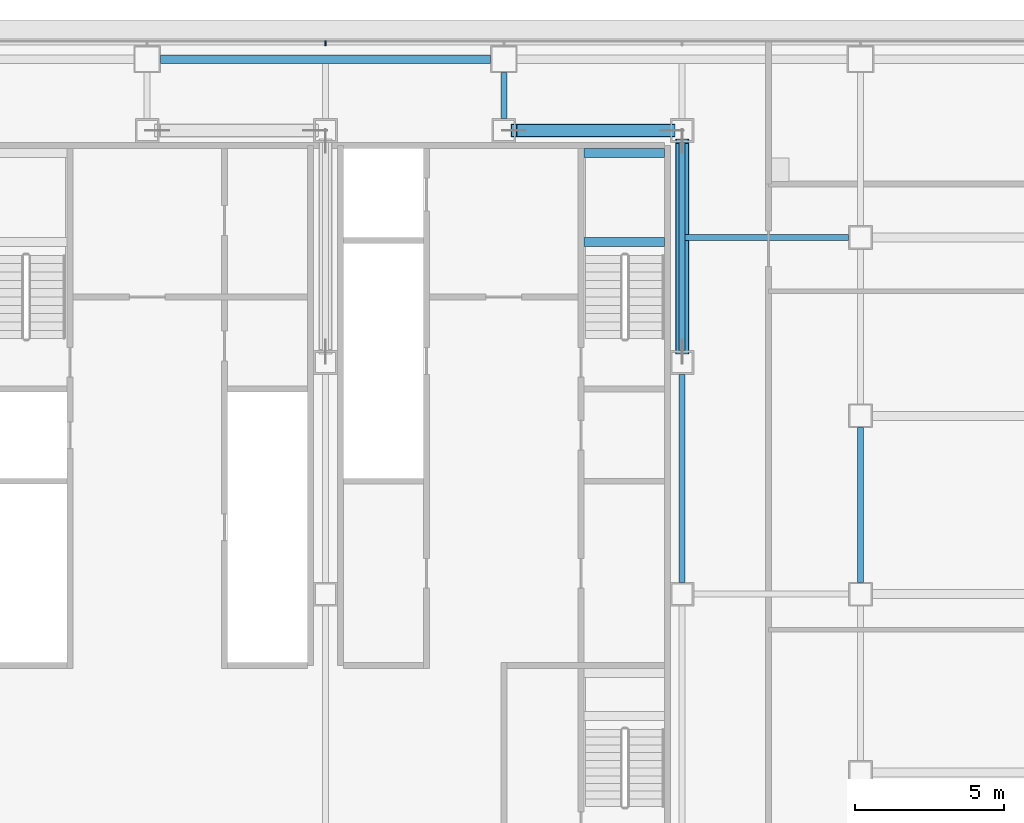
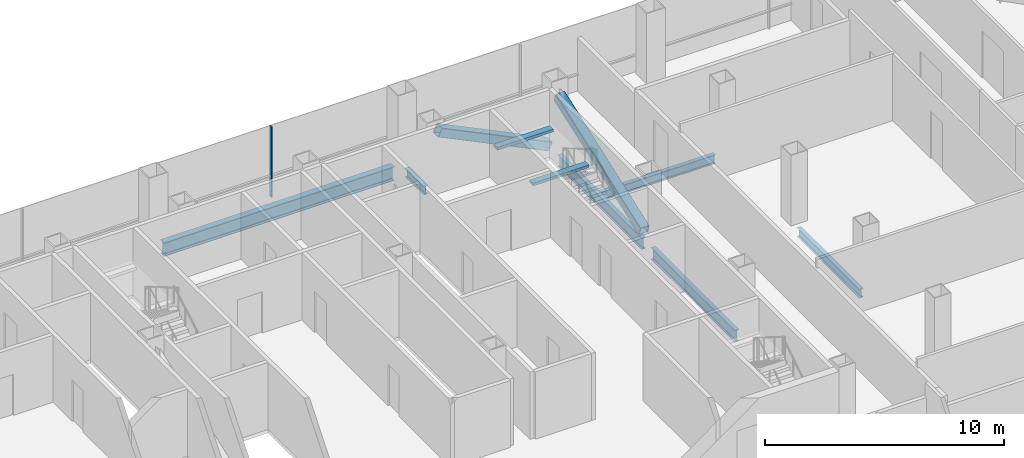
# One storey, part 13 of 27: 8 beams, 3 members, 1 element without a shape of its own.
"""IFC4 building model written with IfcOpenShell, lengths in metres."""

import ifcopenshell
import ifcopenshell.guid

model = None  # the IFC model being written
_history = None  # IfcOwnerHistory: only IFC2X3 demands one
_inside = {}  # id of a spatial element -> (the spatial element, [elements in it])
_under = {}  # id of a project, library or spatial element -> (it, [spatial elements below it])
_declared = {}  # id of a project -> (the project, [libraries it declares])
_typed = {}  # id of a type object -> (the type object, [elements of that type])
_made_of = {}  # id of a material, layer set ... -> (it, [elements and type objects made of it])


def new_model(schema):
    """Start an empty IFC model of exactly this schema.

    Asked for "IFC4X3", IfcOpenShell would pick the latest addendum, in which some entities
    have other attributes; the version numbers below select the first issue.
    IFC2X3 requires an IfcOwnerHistory on every rooted entity: one is made here for all.
    """
    global model, _history
    if schema == "IFC4X3":
        model = ifcopenshell.file(schema_version=(4, 3, 0, 0))
    else:
        model = ifcopenshell.file(schema=schema)
    _inside.clear()
    _under.clear()
    _declared.clear()
    _typed.clear()
    _made_of.clear()
    _history = None
    if model.schema == "IFC2X3":
        org = make("IfcOrganization", Name="unknown")
        user = make(
            "IfcPersonAndOrganization",
            ThePerson=make("IfcPerson", FamilyName="unknown"),
            TheOrganization=org,
        )
        app = make(
            "IfcApplication",
            ApplicationDeveloper=org,
            Version="unknown",
            ApplicationFullName="unknown",
            ApplicationIdentifier="unknown",
        )
        _history = make(
            "IfcOwnerHistory",
            OwningUser=user,
            OwningApplication=app,
            ChangeAction="ADDED",
            CreationDate=0,
        )
    return model


def make(cls, **values):
    """One entity of the class cls with the attributes given. An attribute that is None is left unset."""
    return model.create_entity(
        cls, **{name: value for name, value in values.items() if value is not None}
    )


def rooted(cls, **values):
    """An entity with a GlobalId (a new one), such as an element, a storey or a relation."""
    return make(cls, GlobalId=ifcopenshell.guid.new(), OwnerHistory=_history, **values)


def si_unit(unit_type, name, prefix=None):
    """IfcSIUnit, for example si_unit("LENGTHUNIT", "METRE", prefix="MILLI")."""
    return make("IfcSIUnit", UnitType=unit_type, Prefix=prefix, Name=name)


def assignment(units):
    """IfcUnitAssignment: the units of a project."""
    return None if units is None else make("IfcUnitAssignment", Units=units)


def point(xyz):
    """IfcCartesianPoint."""
    return None if xyz is None else make("IfcCartesianPoint", Coordinates=xyz)


def direction(xyz):
    """IfcDirection."""
    return None if xyz is None else make("IfcDirection", DirectionRatios=xyz)


def frame(location, z_axis=None, x_axis=None):
    """IfcAxis2Placement3D, a coordinate frame: its origin and axes. An axis left out is left unset."""
    return make(
        "IfcAxis2Placement3D",
        Location=point(location),
        Axis=direction(z_axis),
        RefDirection=direction(x_axis),
    )


def frame_2d(location, x_axis=None):
    """IfcAxis2Placement2D, a coordinate frame in the plane: its origin and x axis."""
    return make(
        "IfcAxis2Placement2D", Location=point(location), RefDirection=direction(x_axis)
    )


def origin():
    """The frame at (0, 0, 0) with its axes left unset."""
    return frame((0.0, 0.0, 0.0))


def origin_2d():
    """The frame at (0, 0) in the plane with its x axis left unset."""
    return frame_2d((0.0, 0.0))


def place(relative_to, where):
    """IfcLocalPlacement: puts the frame where relative to a parent placement (None: the world)."""
    return make(
        "IfcLocalPlacement", PlacementRelTo=relative_to, RelativePlacement=where
    )


def context(
    kind, dimensions, precision=None, world=None, true_north=None, identifier=None
):
    """IfcGeometricRepresentationContext, for example the 3D "Model" context."""
    return make(
        "IfcGeometricRepresentationContext",
        ContextIdentifier=identifier,
        ContextType=kind,
        CoordinateSpaceDimension=dimensions,
        Precision=precision,
        WorldCoordinateSystem=world,
        TrueNorth=true_north,
    )


def subcontext(parent, identifier, kind, view, scale=None):
    """IfcGeometricRepresentationSubContext, for example "Body" below "Model"."""
    return make(
        "IfcGeometricRepresentationSubContext",
        ContextIdentifier=identifier,
        ContextType=kind,
        ParentContext=parent,
        TargetScale=scale,
        TargetView=view,
    )


def project(units=None, contexts=None):
    """IfcProject with its units and contexts."""
    return rooted(
        "IfcProject",
        Name="project",
        RepresentationContexts=contexts,
        UnitsInContext=assignment(units),
    )


def spatial(cls, under=None, at=None, **own):
    """A site, building, storey or space (cls), placed at a placement, below another one or the project."""
    s = rooted(cls, ObjectPlacement=at, **own)
    if under is not None:
        _under.setdefault(under.id(), (under, []))[1].append(s)
    return s


def profile(cls, at=None, kind="AREA", **sizes):
    """A parametric profile (cls). Its sizes go by their IFC names, for example OverallWidth=200.0."""
    return make(cls, ProfileType=kind, Position=at, **sizes)


def rectangle(**sizes):
    """IfcRectangleProfileDef."""
    return profile("IfcRectangleProfileDef", **sizes)


def hollow_rectangle(**sizes):
    """IfcRectangleHollowProfileDef."""
    return profile("IfcRectangleHollowProfileDef", **sizes)


def i_section(**sizes):
    """IfcIShapeProfileDef."""
    return profile("IfcIShapeProfileDef", **sizes)


def extrude(swept, where, along, depth):
    """IfcExtrudedAreaSolid: the profile swept, set in the frame where, extruded along a direction by depth."""
    return make(
        "IfcExtrudedAreaSolid",
        SweptArea=swept,
        Position=where,
        ExtrudedDirection=direction(along),
        Depth=depth,
    )


def shape(context_of_items, identifier, shape_type, items):
    """IfcShapeRepresentation: the items that make up one representation, for example the "Body"."""
    return make(
        "IfcShapeRepresentation",
        ContextOfItems=context_of_items,
        RepresentationIdentifier=identifier,
        RepresentationType=shape_type,
        Items=items,
    )


def material(Name=None, Category=None):
    """IfcMaterial."""
    return make("IfcMaterial", Name=Name, Category=Category)


def material_profile(
    of_material, cross_section, Name=None, Category=None, Priority=None
):
    """IfcMaterialProfile: a cross section and its material."""
    return make(
        "IfcMaterialProfile",
        Name=Name,
        Material=of_material,
        Profile=cross_section,
        Priority=Priority,
        Category=Category,
    )


def profile_set(profiles, Name=None, composite=None):
    """IfcMaterialProfileSet."""
    return make(
        "IfcMaterialProfileSet",
        Name=Name,
        MaterialProfiles=profiles,
        CompositeProfile=composite,
    )


def made_of(thing, what):
    """Note that an element or type object is made of a material, layer set ...; save() writes the relation."""
    if what is not None:
        _made_of.setdefault(what.id(), (what, []))[1].append(thing)
    return thing


def type_object(cls, material=None, **own):
    """A type object (cls), such as IfcWallType, which elements share."""
    return made_of(rooted(cls, **own), material)


def element(
    cls,
    number,
    at=None,
    inside=None,
    cuts=None,
    type_object=None,
    material=None,
    context=None,
    identifier="Body",
    shape_type=None,
    held_by="IfcProductDefinitionShape",
    body=None,
    shapes=None,
    **own,
):
    """One element of the class cls, such as IfcWall. Its Tag is "e" and its number.

    at: its placement. inside: the storey or other place that contains it. cuts: it is an
    opening in that element (IfcRelVoidsElement). A single representation is given by context,
    identifier, shape_type and body (its items); several are given by shapes. held_by: the class
    of the entity that holds the representations. save() writes the other relations.
    """
    e = rooted(cls, Tag="e%d" % number, ObjectPlacement=at, **own)
    if body is not None:
        shapes = [shape(context, identifier, shape_type, body)]
    if shapes is not None:
        e.Representation = make(held_by, Representations=shapes)
    if inside is not None:
        _inside.setdefault(inside.id(), (inside, []))[1].append(e)
    if cuts is not None:
        rooted(
            "IfcRelVoidsElement", RelatingBuildingElement=cuts, RelatedOpeningElement=e
        )
    if type_object is not None:
        _typed.setdefault(type_object.id(), (type_object, []))[1].append(e)
    return made_of(e, material)


def aggregate(whole, parts):
    """IfcRelAggregates: a whole, such as a stair, and the parts it consists of."""
    return rooted("IfcRelAggregates", RelatingObject=whole, RelatedObjects=parts)


def save(model, path):
    """Write the relations noted so far, then the file.

    IfcRelAggregates (storeys below a building ...), IfcRelContainedInSpatialStructure (elements
    in a storey), IfcRelDefinesByType, IfcRelAssociatesMaterial and IfcRelDeclares: one each for
    every whole, place, type object, material and project.
    """
    for whole, parts in _under.values():
        aggregate(whole, parts)
    for where, things in _inside.values():
        rooted(
            "IfcRelContainedInSpatialStructure",
            RelatedElements=things,
            RelatingStructure=where,
        )
    for kind, things in _typed.values():
        rooted("IfcRelDefinesByType", RelatedObjects=things, RelatingType=kind)
    for what, things in _made_of.values():
        rooted("IfcRelAssociatesMaterial", RelatedObjects=things, RelatingMaterial=what)
    for by, libraries in _declared.values():
        rooted("IfcRelDeclares", RelatingContext=by, RelatedDefinitions=libraries)
    model.write(path)


model = new_model("IFC4")

# Units and contexts
model_context = context("Model", 3, precision=1e-05, world=origin(), true_north=direction((0.0, 1.0)))
body_context = subcontext(model_context, "Body", "Model", "MODEL_VIEW")
ifc_project = project(units=[si_unit("LENGTHUNIT", "METRE"), si_unit("AREAUNIT", "SQUARE_METRE"), si_unit("VOLUMEUNIT", "CUBIC_METRE"), si_unit("PLANEANGLEUNIT", "RADIAN"), si_unit("MASSUNIT", "GRAM", prefix="KILO")], contexts=[model_context])

# Site, building, storey
site_placement = place(None, origin())
site = spatial("IfcSite", under=ifc_project, at=site_placement, CompositionType="ELEMENT")
building_placement = place(site_placement, origin())
building = spatial("IfcBuilding", under=site, at=building_placement, Name="Sorahane Residences", CompositionType="ELEMENT")
storey_placement = place(building_placement, frame((0.0, 0.0, 82.199951171875)))
storey = spatial("IfcBuildingStorey", under=building, at=storey_placement, Name="L17", CompositionType="ELEMENT", Elevation=82.199951171875)

# Members
ifc_material_1 = material(Name="Steel Q355B", Category="steel")
ifc_material_profile_1 = material_profile(ifc_material_1, hollow_rectangle(XDim=0.449951171875, YDim=0.449951171875, WallThickness=0.02197265625, InnerFilletRadius=0.010986328125, OuterFilletRadius=0.032958984375, at=origin_2d()), Name="RHS 450x450x22")
ifc_profile_set_1 = profile_set([ifc_material_profile_1], Name="Steel Q355B")
member_type_1 = type_object("IfcMemberType", Name="Core brace RHS 450x450x22 Q355B", PredefinedType="BRACE", material=ifc_profile_set_1)
member_1_placement = place(storey_placement, frame((41.658935546875, 45.60009765625, 0.196533203125), z_axis=(-0.899894691922, 0.0, 0.436107261405), x_axis=(0.0, -1.0, 0.0)))
element("IfcMember", 1, at=member_1_placement, inside=storey, type_object=member_type_1, Name="Core brace L17 y45.6-6", PredefinedType="BRACE", context=body_context, shape_type="SweptSolid", body=[
    extrude(hollow_rectangle(XDim=0.449951171875, YDim=0.449951171875, WallThickness=0.02197265625, InnerFilletRadius=0.010986328125, OuterFilletRadius=0.032958984375, at=origin_2d()), origin(), (0.0, 0.0, 1.0), 5.909423828125),
])
member_2_placement = place(storey_placement, frame((42.0, 38.154296875, 0.20849609375), z_axis=(0.0, 0.940882869443, 0.338732085856), x_axis=(-1.0, 0.0, 0.0)))
element("IfcMember", 2, at=member_2_placement, inside=storey, type_object=member_type_1, Name="Core brace L17 x42-3", PredefinedType="BRACE", context=body_context, shape_type="SweptSolid", body=[
    extrude(hollow_rectangle(XDim=0.449951171875, YDim=0.449951171875, WallThickness=0.02197265625, InnerFilletRadius=0.010986328125, OuterFilletRadius=0.032958984375, at=origin_2d()), origin(), (0.0, 0.0, 1.0), 7.536865234375),
])

# Curtain wall, member
ifc_material_2 = material(Name="Dark low-e glass and black anodised aluminium", Category="aluminium")
curtain_wall_type = type_object("IfcCurtainWallType", Name="Curtain wall CW-1 Typical unitised wall", PredefinedType="NOTDEFINED", material=ifc_material_2)
curtain_wall_placement = place(storey_placement, origin())
curtain_wall = element("IfcCurtainWall", 3, at=curtain_wall_placement, inside=storey, type_object=curtain_wall_type, Name="CW-1 curtain wall L17 N1", PredefinedType="NOTDEFINED")
ifc_material_3 = material(Name="Black anodised aluminium", Category="aluminium")
ifc_material_profile_2 = material_profile(ifc_material_3, rectangle(XDim=0.159912109375, YDim=0.050048828125, at=origin_2d()), Name="Curtain wall mullion CW-1 black anodised aluminium 50x160")
ifc_profile_set_2 = profile_set([ifc_material_profile_2], Name="Black anodised aluminium")
member_type_2 = type_object("IfcMemberType", Name="Curtain wall mullion CW-1 black anodised aluminium 50x160", PredefinedType="MULLION", material=ifc_profile_set_2)
member_3_placement = place(storey_placement, frame((30.0, 48.5400390625, -0.179931640625), z_axis=(0.0, 0.0, 1.0), x_axis=(0.0, 1.0, 0.0)))
member_3 = element("IfcMember", 4, at=member_3_placement, type_object=member_type_2, Name="CW-1 mullion L17 N1.6", PredefinedType="MULLION", context=body_context, shape_type="SweptSolid", body=[
    extrude(rectangle(XDim=0.159912109375, YDim=0.050048828125, at=origin_2d()), origin(), (0.0, 0.0, 1.0), 3.60009765625),
])
aggregate(curtain_wall, [member_3])

# Beams
ifc_material_4 = material(Name="Concrete C40", Category="concrete")
ifc_material_profile_3 = material_profile(ifc_material_4, rectangle(XDim=0.300048828125, YDim=0.139892578125, at=origin_2d()), Name="300x140")
ifc_profile_set_3 = profile_set([ifc_material_profile_3], Name="Concrete C40")
beam_type_1 = type_object("IfcBeamType", Name="RC landing beam 300 x 140 Concrete C40", PredefinedType="BEAM", material=ifc_profile_set_3)
for number, where, z_axis, x_axis, name in (
    (5, (38.699951171875, 41.85009765625, 1.530029296875), (1.0, 0.0, 0.0), (0.0, 1.0, 0.0), "Landing beam"),
    (6, (38.699951171875, 44.85009765625, 1.530029296875), (1.0, 0.0, 0.0), (0.0, 1.0, 0.0), "Landing beam"),
):
    element("IfcBeam", number, at=place(storey_placement, frame(where, z_axis=z_axis, x_axis=x_axis)), inside=storey, type_object=beam_type_1, Name=name, PredefinedType="BEAM", context=body_context, shape_type="SweptSolid", body=[
        extrude(rectangle(XDim=0.300048828125, YDim=0.139892578125, at=origin_2d()), origin(), (0.0, 0.0, 1.0), 2.699951171875),
    ])
ifc_material_5 = material(Name="Steel Q355B", Category="steel")
ifc_material_profile_4 = material_profile(ifc_material_5, i_section(OverallWidth=0.199951171875, OverallDepth=0.449951171875, WebThickness=0.009033203125, FlangeThickness=0.013916015625, FilletRadius=0.02001953125, at=origin_2d()), Name="HN 450x200x9x14")
ifc_profile_set_4 = profile_set([ifc_material_profile_4], Name="Steel Q355B")
beam_type_2 = type_object("IfcBeamType", Name="Steel floor beam HN 450x200x9x14 Q355B", PredefinedType="BEAM", material=ifc_profile_set_4)
beam_1_placement = place(storey_placement, frame((36.0, 46.0, -0.405029296875), z_axis=(0.0, 1.0, 0.0), x_axis=(-1.0, 0.0, 0.0)))
element("IfcBeam", 7, at=beam_1_placement, inside=storey, type_object=beam_type_2, Name="Beam L17 043", PredefinedType="BEAM", context=body_context, shape_type="SweptSolid", body=[
    extrude(i_section(OverallWidth=0.199951171875, OverallDepth=0.449951171875, WebThickness=0.009033203125, FlangeThickness=0.013916015625, FilletRadius=0.02001953125, at=origin_2d()), origin(), (0.0, 0.0, 1.0), 1.550048828125),
])
beam_2_placement = place(storey_placement, frame((48.0, 30.39990234375, -0.405029296875), z_axis=(0.0, 1.0, 0.0), x_axis=(-1.0, 0.0, 0.0)))
element("IfcBeam", 8, at=beam_2_placement, inside=storey, type_object=beam_type_2, Name="Beam L17 053", PredefinedType="BEAM", context=body_context, shape_type="SweptSolid", body=[
    extrude(i_section(OverallWidth=0.199951171875, OverallDepth=0.449951171875, WebThickness=0.009033203125, FlangeThickness=0.013916015625, FilletRadius=0.02001953125, at=origin_2d()), origin(), (0.0, 0.0, 1.0), 5.2001953125),
])
beam_3_placement = place(storey_placement, frame((42.10009765625, 42.0, -0.405029296875), z_axis=(1.0, 0.0, 0.0), x_axis=(0.0, 1.0, 0.0)))
element("IfcBeam", 9, at=beam_3_placement, inside=storey, type_object=beam_type_2, Name="Beam L17 078", PredefinedType="BEAM", context=body_context, shape_type="SweptSolid", body=[
    extrude(i_section(OverallWidth=0.199951171875, OverallDepth=0.449951171875, WebThickness=0.009033203125, FlangeThickness=0.013916015625, FilletRadius=0.02001953125, at=origin_2d()), origin(), (0.0, 0.0, 1.0), 5.5),
])
ifc_material_6 = material(Name="Steel Q355B", Category="steel")
ifc_material_profile_5 = material_profile(ifc_material_6, i_section(OverallWidth=0.199951171875, OverallDepth=0.60009765625, WebThickness=0.010986328125, FlangeThickness=0.01708984375, FilletRadius=0.02392578125, at=origin_2d()), Name="HN 600x200x11x17")
ifc_profile_set_5 = profile_set([ifc_material_profile_5], Name="Steel Q355B")
beam_type_3 = type_object("IfcBeamType", Name="Steel floor beam HN 600x200x11x17 Q355B", PredefinedType="BEAM", material=ifc_profile_set_5)
for number, where, z_axis, x_axis, name in (
    (10, (42.0, 30.39990234375, -0.47998046875), (0.0, 1.0, 0.0), (-1.0, 0.0, 0.0), "Beam L17 047"),
    (11, (42.0, 38.199951171875, -0.47998046875), (0.0, 1.0, 0.0), (-1.0, 0.0, 0.0), "Beam L17 048"),
):
    element("IfcBeam", number, at=place(storey_placement, frame(where, z_axis=z_axis, x_axis=x_axis)), inside=storey, type_object=beam_type_3, Name=name, PredefinedType="BEAM", context=body_context, shape_type="SweptSolid", body=[
        extrude(i_section(OverallWidth=0.199951171875, OverallDepth=0.60009765625, WebThickness=0.010986328125, FlangeThickness=0.01708984375, FilletRadius=0.02392578125, at=origin_2d()), origin(), (0.0, 0.0, 1.0), 7.0),
    ])
ifc_material_7 = material(Name="Steel Q355B", Category="steel")
ifc_material_profile_6 = material_profile(ifc_material_7, i_section(OverallWidth=0.300048828125, OverallDepth=0.699951171875, WebThickness=0.012939453125, FlangeThickness=0.02392578125, FilletRadius=0.028076171875, at=origin_2d()), Name="HN 700x300x13x24")
ifc_profile_set_6 = profile_set([ifc_material_profile_6], Name="Steel Q355B")
beam_type_4 = type_object("IfcBeamType", Name="Steel floor beam HN 700x300x13x24 Q355B", PredefinedType="BEAM", material=ifc_profile_set_6)
beam_4_placement = place(storey_placement, frame((24.449951171875, 48.0, -0.530029296875), z_axis=(1.0, 0.0, 0.0), x_axis=(0.0, 1.0, 0.0)))
element("IfcBeam", 12, at=beam_4_placement, inside=storey, type_object=beam_type_4, Name="Beam L17 014", PredefinedType="BEAM", context=body_context, shape_type="SweptSolid", body=[
    extrude(i_section(OverallWidth=0.300048828125, OverallDepth=0.699951171875, WebThickness=0.012939453125, FlangeThickness=0.02392578125, FilletRadius=0.028076171875, at=origin_2d()), origin(), (0.0, 0.0, 1.0), 11.10009765625),
])

save(model, "model.ifc")
